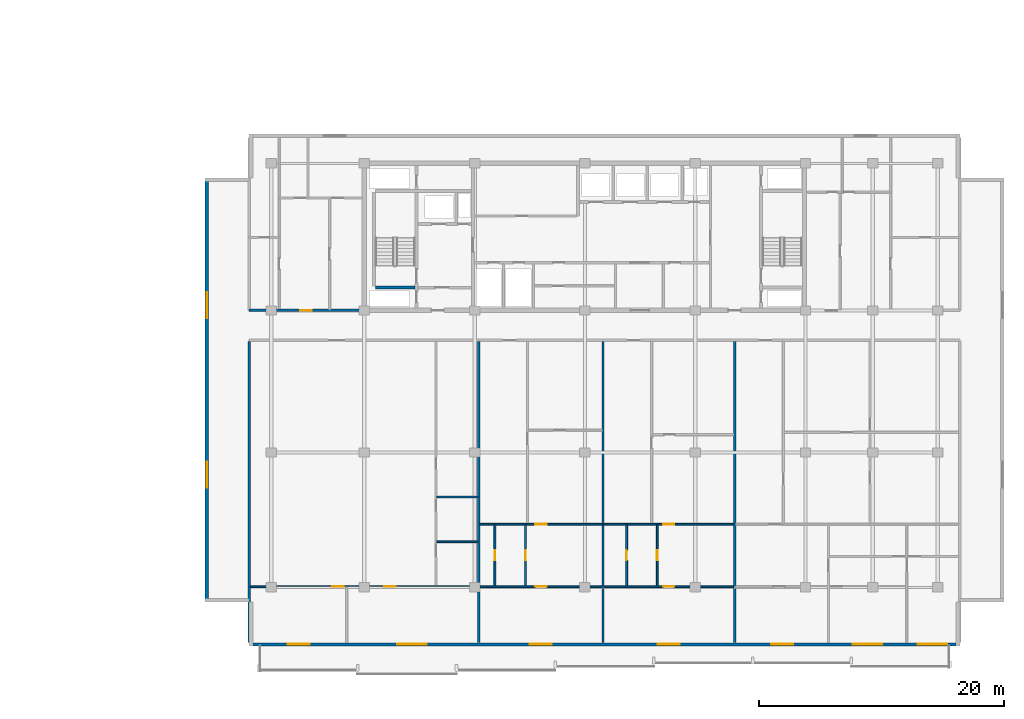
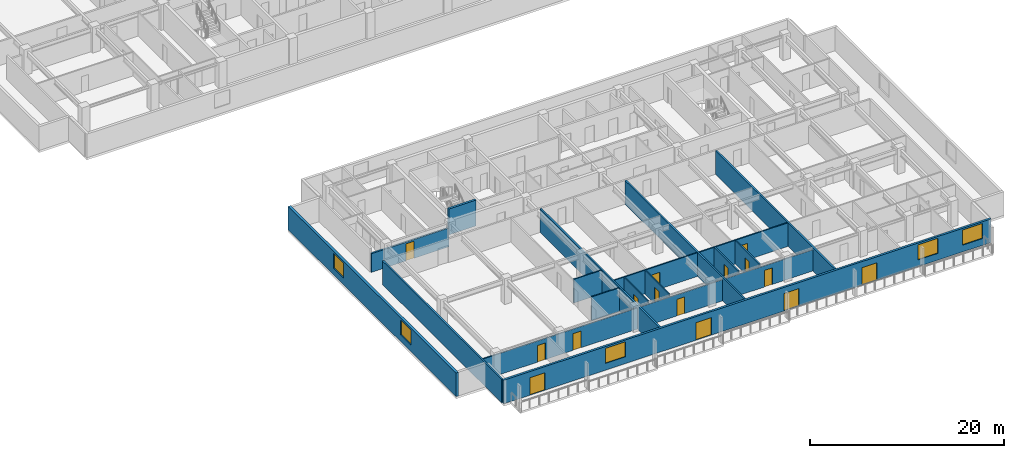
# One storey, part 4 of 21: 19 walls, 15 doors, 5 windows, 20 openings.
"""IFC4 building model written with IfcOpenShell, lengths in metres."""

from ifc_helpers import new_model, si_unit, direction, frame, frame_2d, origin, place, context, subcontext, project, spatial, rectangle, extrude, material, layer, layer_set, type_object, element, fill, save


model = new_model("IFC4")

# Units and contexts
model_context = context("Model", 3, precision=1e-05, world=origin(), true_north=direction((0.0, 1.0)))
body_context = subcontext(model_context, "Body", "Model", "MODEL_VIEW")
ifc_project = project(units=[si_unit("LENGTHUNIT", "METRE"), si_unit("AREAUNIT", "SQUARE_METRE"), si_unit("VOLUMEUNIT", "CUBIC_METRE"), si_unit("PLANEANGLEUNIT", "RADIAN"), si_unit("MASSUNIT", "GRAM", prefix="KILO")], contexts=[model_context])

# Site, building, storey
site_placement = place(None, origin())
site = spatial("IfcSite", under=ifc_project, at=site_placement, CompositionType="ELEMENT")
building_placement = place(site_placement, origin())
building = spatial("IfcBuilding", under=site, at=building_placement, Name="Korimba Cascade Residences", CompositionType="ELEMENT")
storey_placement = place(building_placement, frame((0.0, 0.0, 100.300048828125)))
storey = spatial("IfcBuildingStorey", under=building, at=storey_placement, Name="L28", CompositionType="ELEMENT", Elevation=100.300048828125)

# Wall, openings, doors, windows
ifc_material_1 = material(Name="Precast concrete C40/50", Category="concrete")
ifc_layer_1 = layer(ifc_material_1, 0.25)
ifc_layer_set_1 = layer_set([ifc_layer_1], Name="Precast concrete C40/50")
wall_type_1 = type_object("IfcWallType", Name="EW-LOG-250", PredefinedType="STANDARD", material=ifc_layer_set_1)
wall_1_placement = place(storey_placement, frame((72.699951171875, -8.85009765625, 0.0), z_axis=(0.0, 0.0, 1.0), x_axis=(1.0, 0.0, 0.0)))
wall_1 = element("IfcWall", 1, at=wall_1_placement, inside=storey, type_object=wall_type_1, Name="L28 T2 Perimeter Stone Wall E00", PredefinedType="STANDARD", context=body_context, shape_type="SweptSolid", body=[
    extrude(rectangle(XDim=58.0, YDim=0.25, at=frame_2d((29.0, 0.0))), origin(), (0.0, 0.0, 1.0), 2.969970703125),
])
opening_1_placement = place(wall_1_placement, frame((3.137451171875, 0.0, 0.0)))
opening_1 = element("IfcOpeningElement", 2, at=opening_1_placement, cuts=wall_1, Name="Opening D-LG1", PredefinedType="OPENING", context=body_context, shape_type="SweptSolid", body=[
    extrude(rectangle(XDim=1.800048828125, YDim=2.199951171875, at=frame_2d((0.89990234375, 1.10009765625))), frame((0.0, 0.135009765625, 0.0), z_axis=(0.0, -1.0, 0.0), x_axis=(1.0, 0.0, 0.0)), (0.0, 0.0, 1.0), 0.27001953125),
])
opening_2_placement = place(wall_1_placement, frame((12.092529296875, 0.0, 0.85009765625)))
opening_2 = element("IfcOpeningElement", 3, at=opening_2_placement, cuts=wall_1, Name="Opening W-01", PredefinedType="OPENING", context=body_context, shape_type="SweptSolid", body=[
    extrude(rectangle(XDim=2.39990234375, YDim=1.89990234375, at=frame_2d((1.199951171875, 0.949951171875))), frame((0.0, 0.135009765625, 0.0), z_axis=(0.0, -1.0, 0.0), x_axis=(1.0, 0.0, 0.0)), (0.0, 0.0, 1.0), 0.27001953125),
])
opening_3_placement = place(wall_1_placement, frame((22.91259765625, 0.0, 0.0)))
opening_3 = element("IfcOpeningElement", 4, at=opening_3_placement, cuts=wall_1, Name="Opening D-LG1", PredefinedType="OPENING", context=body_context, shape_type="SweptSolid", body=[
    extrude(rectangle(XDim=1.800048828125, YDim=2.199951171875, at=frame_2d((0.89990234375, 1.10009765625))), frame((0.0, 0.135009765625, 0.0), z_axis=(0.0, -1.0, 0.0), x_axis=(1.0, 0.0, 0.0)), (0.0, 0.0, 1.0), 0.27001953125),
])
opening_4_placement = place(wall_1_placement, frame((33.35009765625, 0.0, 0.0)))
opening_4 = element("IfcOpeningElement", 5, at=opening_4_placement, cuts=wall_1, Name="Opening D-LG1", PredefinedType="OPENING", context=body_context, shape_type="SweptSolid", body=[
    extrude(rectangle(XDim=1.800048828125, YDim=2.199951171875, at=frame_2d((0.89990234375, 1.10009765625))), frame((0.0, 0.135009765625, 0.0), z_axis=(0.0, -1.0, 0.0), x_axis=(1.0, 0.0, 0.0)), (0.0, 0.0, 1.0), 0.27001953125),
])
opening_5_placement = place(wall_1_placement, frame((49.27490234375, 0.0, 0.85009765625)))
opening_5 = element("IfcOpeningElement", 6, at=opening_5_placement, cuts=wall_1, Name="Opening W-01", PredefinedType="OPENING", context=body_context, shape_type="SweptSolid", body=[
    extrude(rectangle(XDim=2.39990234375, YDim=1.89990234375, at=frame_2d((1.199951171875, 0.949951171875))), frame((0.0, 0.135009765625, 0.0), z_axis=(0.0, -1.0, 0.0), x_axis=(1.0, 0.0, 0.0)), (0.0, 0.0, 1.0), 0.27001953125),
])
opening_6_placement = place(wall_1_placement, frame((42.612548828125, 0.0, 0.0)))
opening_6 = element("IfcOpeningElement", 7, at=opening_6_placement, cuts=wall_1, Name="Opening D-LG1", PredefinedType="OPENING", context=body_context, shape_type="SweptSolid", body=[
    extrude(rectangle(XDim=1.800048828125, YDim=2.199951171875, at=frame_2d((0.89990234375, 1.10009765625))), frame((0.0, 0.135009765625, 0.0), z_axis=(0.0, -1.0, 0.0), x_axis=(1.0, 0.0, 0.0)), (0.0, 0.0, 1.0), 0.27001953125),
])
opening_7_placement = place(wall_1_placement, frame((54.574951171875, 0.0, 0.85009765625)))
opening_7 = element("IfcOpeningElement", 8, at=opening_7_placement, cuts=wall_1, Name="Opening W-01", PredefinedType="OPENING", context=body_context, shape_type="SweptSolid", body=[
    extrude(rectangle(XDim=2.39990234375, YDim=1.89990234375, at=frame_2d((1.199951171875, 0.949951171875))), frame((0.0, 0.135009765625, 0.0), z_axis=(0.0, -1.0, 0.0), x_axis=(1.0, 0.0, 0.0)), (0.0, 0.0, 1.0), 0.27001953125),
])
ifc_material_2 = material(Name="Glazed Aluminium Loggia Sliding Door", Category="aluminium")
door_type_1 = type_object("IfcDoorType", Name="DR-EXT-LOG", OperationType="NOTDEFINED", PredefinedType="DOOR", material=ifc_material_2)
door_1_placement = place(opening_1_placement, origin())
door_1 = element("IfcDoor", 9, at=door_1_placement, inside=storey, type_object=door_type_1, Name="L28 T2 Loggia Sliding Door 3", OperationType="SLIDING_TO_RIGHT", OverallHeight=2.199951171875, OverallWidth=1.800048828125, PredefinedType="DOOR", context=body_context, shape_type="SweptSolid", body=[
    extrude(rectangle(XDim=1.800048828125, YDim=2.199951171875, at=frame_2d((0.89990234375, 1.10009765625))), frame((0.0, 0.02490234375, 0.0), z_axis=(0.0, -1.0, 0.0), x_axis=(1.0, 0.0, 0.0)), (0.0, 0.0, 1.0), 0.050048828125),
])
fill(opening_1, door_1)
door_2_placement = place(opening_3_placement, origin())
door_2 = element("IfcDoor", 10, at=door_2_placement, inside=storey, type_object=door_type_1, Name="L28 T2 Loggia Sliding Door 5", OperationType="SLIDING_TO_RIGHT", OverallHeight=2.199951171875, OverallWidth=1.800048828125, PredefinedType="DOOR", context=body_context, shape_type="SweptSolid", body=[
    extrude(rectangle(XDim=1.800048828125, YDim=2.199951171875, at=frame_2d((0.89990234375, 1.10009765625))), frame((0.0, 0.02490234375, 0.0), z_axis=(0.0, -1.0, 0.0), x_axis=(1.0, 0.0, 0.0)), (0.0, 0.0, 1.0), 0.050048828125),
])
fill(opening_3, door_2)
door_3_placement = place(opening_4_placement, origin())
door_3 = element("IfcDoor", 11, at=door_3_placement, inside=storey, type_object=door_type_1, Name="L28 T2 Loggia Sliding Door 6", OperationType="SLIDING_TO_RIGHT", OverallHeight=2.199951171875, OverallWidth=1.800048828125, PredefinedType="DOOR", context=body_context, shape_type="SweptSolid", body=[
    extrude(rectangle(XDim=1.800048828125, YDim=2.199951171875, at=frame_2d((0.89990234375, 1.10009765625))), frame((0.0, 0.02490234375, 0.0), z_axis=(0.0, -1.0, 0.0), x_axis=(1.0, 0.0, 0.0)), (0.0, 0.0, 1.0), 0.050048828125),
])
fill(opening_4, door_3)
door_4_placement = place(opening_6_placement, origin())
door_4 = element("IfcDoor", 12, at=door_4_placement, inside=storey, type_object=door_type_1, Name="L28 T2 Loggia Sliding Door 8", OperationType="SLIDING_TO_RIGHT", OverallHeight=2.199951171875, OverallWidth=1.800048828125, PredefinedType="DOOR", context=body_context, shape_type="SweptSolid", body=[
    extrude(rectangle(XDim=1.800048828125, YDim=2.199951171875, at=frame_2d((0.89990234375, 1.10009765625))), frame((0.0, 0.02490234375, 0.0), z_axis=(0.0, -1.0, 0.0), x_axis=(1.0, 0.0, 0.0)), (0.0, 0.0, 1.0), 0.050048828125),
])
fill(opening_6, door_4)
ifc_material_3 = material(Name="Double-Glazed Aluminium Window", Category="aluminium")
window_type_1 = type_object("IfcWindowType", Name="WIN-RES-2400", PartitioningType="DOUBLE_PANEL_VERTICAL", PredefinedType="WINDOW", material=ifc_material_3)
window_1_placement = place(opening_2_placement, origin())
window_1 = element("IfcWindow", 13, at=window_1_placement, inside=storey, type_object=window_type_1, Name="L28 T2 South Facade Window 4", OverallHeight=1.89990234375, OverallWidth=2.39990234375, PartitioningType="DOUBLE_PANEL_VERTICAL", PredefinedType="WINDOW", context=body_context, shape_type="SweptSolid", body=[
    extrude(rectangle(XDim=2.39990234375, YDim=1.89990234375, at=frame_2d((1.199951171875, 0.949951171875))), frame((0.0, 0.030029296875, 0.0), z_axis=(0.0, -1.0, 0.0), x_axis=(1.0, 0.0, 0.0)), (0.0, 0.0, 1.0), 0.06005859375),
])
fill(opening_2, window_1)
window_2_placement = place(opening_5_placement, origin())
window_2 = element("IfcWindow", 14, at=window_2_placement, inside=storey, type_object=window_type_1, Name="L28 T2 South Facade Window 7", OverallHeight=1.89990234375, OverallWidth=2.39990234375, PartitioningType="DOUBLE_PANEL_VERTICAL", PredefinedType="WINDOW", context=body_context, shape_type="SweptSolid", body=[
    extrude(rectangle(XDim=2.39990234375, YDim=1.89990234375, at=frame_2d((1.199951171875, 0.949951171875))), frame((0.0, 0.030029296875, 0.0), z_axis=(0.0, -1.0, 0.0), x_axis=(1.0, 0.0, 0.0)), (0.0, 0.0, 1.0), 0.06005859375),
])
fill(opening_5, window_2)
window_3_placement = place(opening_7_placement, origin())
window_3 = element("IfcWindow", 15, at=window_3_placement, inside=storey, type_object=window_type_1, Name="L28 T2 South Facade Window 9", OverallHeight=1.89990234375, OverallWidth=2.39990234375, PartitioningType="DOUBLE_PANEL_VERTICAL", PredefinedType="WINDOW", context=body_context, shape_type="SweptSolid", body=[
    extrude(rectangle(XDim=2.39990234375, YDim=1.89990234375, at=frame_2d((1.199951171875, 0.949951171875))), frame((0.0, 0.030029296875, 0.0), z_axis=(0.0, -1.0, 0.0), x_axis=(1.0, 0.0, 0.0)), (0.0, 0.0, 1.0), 0.06005859375),
])
fill(opening_7, window_3)

# Wall, openings, windows
ifc_layer_2 = layer(ifc_material_1, 0.300048828125)
ifc_layer_set_2 = layer_set([ifc_layer_2], Name="Precast concrete C40/50")
wall_type_2 = type_object("IfcWallType", Name="EW-STONE-300", PredefinedType="STANDARD", material=ifc_layer_set_2)
wall_2_placement = place(storey_placement, frame((69.25, 29.199951171875, 0.0), z_axis=(0.0, 0.0, 1.0), x_axis=(0.0, -1.0, 0.0)))
wall_2 = element("IfcWall", 16, at=wall_2_placement, inside=storey, type_object=wall_type_2, Name="L28 T2 Perimeter Stone Wall E09", PredefinedType="STANDARD", context=body_context, shape_type="SweptSolid", body=[
    extrude(rectangle(XDim=34.599853515625, YDim=0.300048828125, at=frame_2d((17.2998046875, 0.0))), origin(), (0.0, 0.0, 1.0), 2.969970703125),
])
opening_8_placement = place(wall_2_placement, frame((9.330078125, 0.0, 0.85009765625)))
opening_8 = element("IfcOpeningElement", 17, at=opening_8_placement, cuts=wall_2, Name="Opening W-03", PredefinedType="OPENING", context=body_context, shape_type="SweptSolid", body=[
    extrude(rectangle(XDim=2.10009765625, YDim=1.85009765625, at=frame_2d((1.050048828125, 0.925048828125))), frame((0.0, 0.16015625, 0.0), z_axis=(0.0, -1.0, 0.0), x_axis=(1.0, 0.0, 0.0)), (0.0, 0.0, 1.0), 0.320068359375),
])
opening_9_placement = place(wall_2_placement, frame((23.169921875, 0.0, 0.85009765625)))
opening_9 = element("IfcOpeningElement", 18, at=opening_9_placement, cuts=wall_2, Name="Opening W-03", PredefinedType="OPENING", context=body_context, shape_type="SweptSolid", body=[
    extrude(rectangle(XDim=2.10009765625, YDim=1.85009765625, at=frame_2d((1.050048828125, 0.925048828125))), frame((0.0, 0.16015625, 0.0), z_axis=(0.0, -1.0, 0.0), x_axis=(1.0, 0.0, 0.0)), (0.0, 0.0, 1.0), 0.320068359375),
])
window_type_2 = type_object("IfcWindowType", Name="WIN-CRN-2100", PartitioningType="DOUBLE_PANEL_HORIZONTAL", PredefinedType="WINDOW", material=ifc_material_3)
window_4_placement = place(opening_8_placement, origin())
window_4 = element("IfcWindow", 19, at=window_4_placement, inside=storey, type_object=window_type_2, Name="L28 T2 End View Window 9.1", OverallHeight=1.85009765625, OverallWidth=2.10009765625, PartitioningType="DOUBLE_PANEL_HORIZONTAL", PredefinedType="WINDOW", context=body_context, shape_type="SweptSolid", body=[
    extrude(rectangle(XDim=2.10009765625, YDim=1.85009765625, at=frame_2d((1.050048828125, 0.925048828125))), frame((0.0, 0.030029296875, 0.0), z_axis=(0.0, -1.0, 0.0), x_axis=(1.0, 0.0, 0.0)), (0.0, 0.0, 1.0), 0.06005859375),
])
fill(opening_8, window_4)
window_5_placement = place(opening_9_placement, origin())
window_5 = element("IfcWindow", 20, at=window_5_placement, inside=storey, type_object=window_type_2, Name="L28 T2 End View Window 9.2", OverallHeight=1.85009765625, OverallWidth=2.10009765625, PartitioningType="DOUBLE_PANEL_HORIZONTAL", PredefinedType="WINDOW", context=body_context, shape_type="SweptSolid", body=[
    extrude(rectangle(XDim=2.10009765625, YDim=1.85009765625, at=frame_2d((1.050048828125, 0.925048828125))), frame((0.0, 0.030029296875, 0.0), z_axis=(0.0, -1.0, 0.0), x_axis=(1.0, 0.0, 0.0)), (0.0, 0.0, 1.0), 0.06005859375),
])
fill(opening_9, window_5)

# Wall, opening, door
ifc_layer_3 = layer(ifc_material_1, 0.199951171875)
ifc_layer_set_3 = layer_set([ifc_layer_3], Name="Precast concrete C40/50")
wall_type_3 = type_object("IfcWallType", Name="WAL-IT-200", PredefinedType="PARTITIONING", material=ifc_layer_set_3)
wall_3_placement = place(storey_placement, frame((72.699951171875, 18.39990234375, 0.0), z_axis=(0.0, 0.0, 1.0), x_axis=(1.0, 0.0, 0.0)))
wall_3 = element("IfcWall", 21, at=wall_3_placement, inside=storey, type_object=wall_type_3, Name="L28 Partition Wall WAL-L28-T2-FW-S", PredefinedType="PARTITIONING", context=body_context, shape_type="SweptSolid", body=[
    extrude(rectangle(XDim=9.25, YDim=0.199951171875, at=frame_2d((4.625, 0.0))), origin(), (0.0, 0.0, 1.0), 2.357666015625),
])
opening_10_placement = place(wall_3_placement, frame((4.14990234375, 0.0, 0.0)))
opening_10 = element("IfcOpeningElement", 22, at=opening_10_placement, cuts=wall_3, Name="Opening D-UN1", PredefinedType="OPENING", context=body_context, shape_type="SweptSolid", body=[
    extrude(rectangle(XDim=0.949951171875, YDim=2.14990234375, at=frame_2d((0.47509765625, 1.074951171875))), frame((0.0, 0.10986328125, 0.0), z_axis=(0.0, -1.0, 0.0), x_axis=(1.0, 0.0, 0.0)), (0.0, 0.0, 1.0), 0.219970703125),
])
ifc_material_4 = material(Name="Fire-Rated Hardwood Apartment Entrance Door", Category="wood")
door_type_2 = type_object("IfcDoorType", Name="DR-FD60-950", OperationType="NOTDEFINED", PredefinedType="DOOR", material=ifc_material_4)
door_5_placement = place(opening_10_placement, origin())
door_5 = element("IfcDoor", 23, at=door_5_placement, inside=storey, type_object=door_type_2, Name="L28-T2-FW Entrance Door", OperationType="SINGLE_SWING_RIGHT", OverallHeight=2.14990234375, OverallWidth=0.949951171875, PredefinedType="DOOR", context=body_context, shape_type="SweptSolid", body=[
    extrude(rectangle(XDim=0.949951171875, YDim=2.14990234375, at=frame_2d((0.47509765625, 1.074951171875))), frame((0.0, 0.02490234375, 0.0), z_axis=(0.0, -1.0, 0.0), x_axis=(1.0, 0.0, 0.0)), (0.0, 0.0, 1.0), 0.050048828125),
])
fill(opening_10, door_5)

# Walls
for number, where, z_axis, x_axis, name in (
    (24, (72.699951171875, -8.699951171875, 0.0), (0.0, 0.0, 1.0), (0.0, 1.0, 0.0), "L28 Partition Wall WAL-L28-T2-BNDWL"),
    (25, (91.449951171875, -8.699951171875, 0.0), (0.0, 0.0, 1.0), (0.0, 1.0, 0.0), "L28 Partition Wall WAL-L28-T2-DEM-1"),
    (26, (101.574951171875, -8.699951171875, 0.0), (0.0, 0.0, 1.0), (0.0, 1.0, 0.0), "L28 Partition Wall WAL-L28-T2-DEM-2"),
    (27, (112.324951171875, -8.699951171875, 0.0), (0.0, 0.0, 1.0), (0.0, 1.0, 0.0), "L28 Partition Wall WAL-L28-T2-DEM-3"),
):
    element("IfcWall", number, at=place(storey_placement, frame(where, z_axis=z_axis, x_axis=x_axis)), inside=storey, type_object=wall_type_3, Name=name, PredefinedType="PARTITIONING", context=body_context, shape_type="SweptSolid", body=[
        extrude(rectangle(XDim=24.570068359375, YDim=0.199951171875, at=frame_2d((12.28515625, 0.0))), origin(), (0.0, 0.0, 1.0), 2.969970703125),
    ])
ifc_material_5 = material(Name="Insulated Acoustic Stud Partition", Category="gypsum")
ifc_layer_4 = layer(ifc_material_5, 0.14990234375)
ifc_layer_set_4 = layer_set([ifc_layer_4], Name="Insulated Acoustic Stud Partition")
wall_type_4 = type_object("IfcWallType", Name="WAL-PART-150", PredefinedType="PARTITIONING", material=ifc_layer_set_4)
for number, where, z_axis, x_axis, name in (
    (28, (88.010009765625, -0.47998046875, 0.0), (0.0, 0.0, 1.0), (1.0, 0.0, 0.0), "L28 Partition Wall WAL-L28-T2-U01-WCH"),
    (29, (88.010009765625, 3.169921875, 0.0), (0.0, 0.0, 1.0), (1.0, 0.0, 0.0), "L28 Partition Wall WAL-L28-T2-U01-WCH2"),
):
    element("IfcWall", number, at=place(storey_placement, frame(where, z_axis=z_axis, x_axis=x_axis)), inside=storey, type_object=wall_type_4, Name=name, PredefinedType="PARTITIONING", context=body_context, shape_type="SweptSolid", body=[
        extrude(rectangle(XDim=3.360107421875, YDim=0.14990234375, at=frame_2d((1.68017578125, 0.0))), origin(), (0.0, 0.0, 1.0), 2.969970703125),
    ])

# Wall, openings, doors
wall_4_placement = place(storey_placement, frame((72.780029296875, -4.14990234375, 0.0), z_axis=(0.0, 0.0, 1.0), x_axis=(1.0, 0.0, 0.0)))
wall_4 = element("IfcWall", 30, at=wall_4_placement, inside=storey, type_object=wall_type_4, Name="L28 Partition Wall WAL-L28-T2-U01-HZ", PredefinedType="PARTITIONING", context=body_context, shape_type="SweptSolid", body=[
    extrude(rectangle(XDim=18.590087890625, YDim=0.14990234375, at=frame_2d((9.294921875, 0.0))), origin(), (0.0, 0.0, 1.0), 2.663330078125),
])
opening_11_placement = place(wall_4_placement, frame((6.68505859375, 0.0, 0.0)))
opening_11 = element("IfcOpeningElement", 31, at=opening_11_placement, cuts=wall_4, Name="Opening D-IN0", PredefinedType="OPENING", context=body_context, shape_type="SweptSolid", body=[
    extrude(rectangle(XDim=0.93994140625, YDim=2.10009765625, at=frame_2d((0.469970703125, 1.050048828125))), frame((0.0, 0.0849609375, 0.0), z_axis=(0.0, -1.0, 0.0), x_axis=(1.0, 0.0, 0.0)), (0.0, 0.0, 1.0), 0.169921875),
])
opening_12_placement = place(wall_4_placement, frame((10.935302734375, 0.0, 0.0)))
opening_12 = element("IfcOpeningElement", 32, at=opening_12_placement, cuts=wall_4, Name="Opening D-IN0", PredefinedType="OPENING", context=body_context, shape_type="SweptSolid", body=[
    extrude(rectangle(XDim=0.93994140625, YDim=2.10009765625, at=frame_2d((0.469970703125, 1.050048828125))), frame((0.0, 0.0849609375, 0.0), z_axis=(0.0, -1.0, 0.0), x_axis=(1.0, 0.0, 0.0)), (0.0, 0.0, 1.0), 0.169921875),
])
ifc_material_6 = material(Name="Acoustic Timber Living Archway Door", Category="wood")
door_type_3 = type_object("IfcDoorType", Name="DR-INT-950", OperationType="NOTDEFINED", PredefinedType="DOOR", material=ifc_material_6)
door_6_placement = place(opening_11_placement, origin())
door_6 = element("IfcDoor", 33, at=door_6_placement, inside=storey, type_object=door_type_3, Name="L28-T2-U01 Resident Boardroom Door", OperationType="SINGLE_SWING_RIGHT", OverallHeight=2.10009765625, OverallWidth=0.93994140625, PredefinedType="DOOR", context=body_context, shape_type="SweptSolid", body=[
    extrude(rectangle(XDim=0.93994140625, YDim=2.10009765625, at=frame_2d((0.469970703125, 1.050048828125))), frame((0.0, 0.02490234375, 0.0), z_axis=(0.0, -1.0, 0.0), x_axis=(1.0, 0.0, 0.0)), (0.0, 0.0, 1.0), 0.050048828125),
])
fill(opening_11, door_6)
door_7_placement = place(opening_12_placement, origin())
door_7 = element("IfcDoor", 34, at=door_7_placement, inside=storey, type_object=door_type_3, Name="L28-T2-U01 Executive Seminar Room Door", OperationType="SINGLE_SWING_LEFT", OverallHeight=2.10009765625, OverallWidth=0.93994140625, PredefinedType="DOOR", context=body_context, shape_type="SweptSolid", body=[
    extrude(rectangle(XDim=0.93994140625, YDim=2.10009765625, at=frame_2d((0.469970703125, 1.050048828125))), frame((0.0, 0.02490234375, 0.0), z_axis=(0.0, -1.0, 0.0), x_axis=(1.0, 0.0, 0.0)), (0.0, 0.0, 1.0), 0.050048828125),
])
fill(opening_12, door_7)

# Wall, opening, door
wall_5_placement = place(storey_placement, frame((92.7548828125, -4.090087890625, 0.0), z_axis=(0.0, 0.0, 1.0), x_axis=(0.0, 1.0, 0.0)))
wall_5 = element("IfcWall", 35, at=wall_5_placement, inside=storey, type_object=wall_type_4, Name="L28 Partition Wall WAL-L28-T2-U02-CLS", PredefinedType="PARTITIONING", context=body_context, shape_type="SweptSolid", body=[
    extrude(rectangle(XDim=5.0, YDim=0.14990234375, at=frame_2d((2.5, 0.0))), origin(), (0.0, 0.0, 1.0), 2.969970703125),
])
opening_13_placement = place(wall_5_placement, frame((2.080078125, 0.0, 0.0)))
opening_13 = element("IfcOpeningElement", 36, at=opening_13_placement, cuts=wall_5, Name="Opening D-BT1", PredefinedType="OPENING", context=body_context, shape_type="SweptSolid", body=[
    extrude(rectangle(XDim=0.840087890625, YDim=2.0400390625, at=frame_2d((0.419921875, 1.02001953125))), frame((0.0, 0.0849609375, 0.0), z_axis=(0.0, -1.0, 0.0), x_axis=(1.0, 0.0, 0.0)), (0.0, 0.0, 1.0), 0.169921875),
])
ifc_material_7 = material(Name="Moisture-Resistant Bathroom Timber Door", Category="wood")
door_type_4 = type_object("IfcDoorType", Name="DR-INT-850", OperationType="NOTDEFINED", PredefinedType="DOOR", material=ifc_material_7)
door_8_placement = place(opening_13_placement, origin())
door_8 = element("IfcDoor", 37, at=door_8_placement, inside=storey, type_object=door_type_4, Name="L28-T2-U02 Closet Door", OperationType="SINGLE_SWING_RIGHT", OverallHeight=2.0400390625, OverallWidth=0.840087890625, PredefinedType="DOOR", context=body_context, shape_type="SweptSolid", body=[
    extrude(rectangle(XDim=0.840087890625, YDim=2.0400390625, at=frame_2d((0.419921875, 1.02001953125))), frame((0.0, 0.02490234375, 0.0), z_axis=(0.0, -1.0, 0.0), x_axis=(1.0, 0.0, 0.0)), (0.0, 0.0, 1.0), 0.050048828125),
])
fill(opening_13, door_8)

wall_6_placement = place(storey_placement, frame((95.2548828125, -4.090087890625, 0.0), z_axis=(0.0, 0.0, 1.0), x_axis=(0.0, 1.0, 0.0)))
wall_6 = element("IfcWall", 38, at=wall_6_placement, inside=storey, type_object=wall_type_4, Name="L28 Partition Wall WAL-L28-T2-U02-BM", PredefinedType="PARTITIONING", context=body_context, shape_type="SweptSolid", body=[
    extrude(rectangle(XDim=5.0, YDim=0.14990234375, at=frame_2d((2.5, 0.0))), origin(), (0.0, 0.0, 1.0), 2.969970703125),
])
opening_14_placement = place(wall_6_placement, frame((2.080078125, 0.0, 0.0)))
opening_14 = element("IfcOpeningElement", 39, at=opening_14_placement, cuts=wall_6, Name="Opening D-BT1", PredefinedType="OPENING", context=body_context, shape_type="SweptSolid", body=[
    extrude(rectangle(XDim=0.840087890625, YDim=2.0400390625, at=frame_2d((0.419921875, 1.02001953125))), frame((0.0, 0.0849609375, 0.0), z_axis=(0.0, -1.0, 0.0), x_axis=(1.0, 0.0, 0.0)), (0.0, 0.0, 1.0), 0.169921875),
])
door_9_placement = place(opening_14_placement, origin())
door_9 = element("IfcDoor", 40, at=door_9_placement, inside=storey, type_object=door_type_4, Name="L28-T2-U02 Bathroom Door", OperationType="SINGLE_SWING_LEFT", OverallHeight=2.0400390625, OverallWidth=0.840087890625, PredefinedType="DOOR", context=body_context, shape_type="SweptSolid", body=[
    extrude(rectangle(XDim=0.840087890625, YDim=2.0400390625, at=frame_2d((0.419921875, 1.02001953125))), frame((0.0, 0.02490234375, 0.0), z_axis=(0.0, -1.0, 0.0), x_axis=(1.0, 0.0, 0.0)), (0.0, 0.0, 1.0), 0.050048828125),
])
fill(opening_14, door_9)

wall_7_placement = place(storey_placement, frame((91.530029296875, 0.949951171875, 0.0), z_axis=(0.0, 0.0, 1.0), x_axis=(1.0, 0.0, 0.0)))
wall_7 = element("IfcWall", 41, at=wall_7_placement, inside=storey, type_object=wall_type_4, Name="L28 Partition Wall WAL-L28-T2-U02-MW", PredefinedType="PARTITIONING", context=body_context, shape_type="SweptSolid", body=[
    extrude(rectangle(XDim=9.965087890625, YDim=0.14990234375, at=frame_2d((4.982421875, 0.0))), origin(), (0.0, 0.0, 1.0), 2.969970703125),
])
opening_15_placement = place(wall_7_placement, frame((4.5224609375, 0.0, 0.0)))
opening_15 = element("IfcOpeningElement", 42, at=opening_15_placement, cuts=wall_7, Name="Opening D-IN1", PredefinedType="OPENING", context=body_context, shape_type="SweptSolid", body=[
    extrude(rectangle(XDim=0.919921875, YDim=2.080078125, at=frame_2d((0.4599609375, 1.0400390625))), frame((0.0, 0.0849609375, 0.0), z_axis=(0.0, -1.0, 0.0), x_axis=(1.0, 0.0, 0.0)), (0.0, 0.0, 1.0), 0.169921875),
])
ifc_material_8 = material(Name="Acoustic Timber Living Door", Category="wood")
door_type_5 = type_object("IfcDoorType", Name="DR-INT-920", OperationType="NOTDEFINED", PredefinedType="DOOR", material=ifc_material_8)
door_10_placement = place(opening_15_placement, origin())
door_10 = element("IfcDoor", 43, at=door_10_placement, inside=storey, type_object=door_type_5, Name="L28-T2-U02 Studio Kitchen Door", OperationType="SINGLE_SWING_RIGHT", OverallHeight=2.080078125, OverallWidth=0.919921875, PredefinedType="DOOR", context=body_context, shape_type="SweptSolid", body=[
    extrude(rectangle(XDim=0.919921875, YDim=2.080078125, at=frame_2d((0.4599609375, 1.0400390625))), frame((0.0, 0.02490234375, 0.0), z_axis=(0.0, -1.0, 0.0), x_axis=(1.0, 0.0, 0.0)), (0.0, 0.0, 1.0), 0.050048828125),
])
fill(opening_15, door_10)

wall_8_placement = place(storey_placement, frame((91.530029296875, -4.14990234375, 0.0), z_axis=(0.0, 0.0, 1.0), x_axis=(1.0, 0.0, 0.0)))
wall_8 = element("IfcWall", 44, at=wall_8_placement, inside=storey, type_object=wall_type_4, Name="L28 Partition Wall WAL-L28-T2-U02-HZ", PredefinedType="PARTITIONING", context=body_context, shape_type="SweptSolid", body=[
    extrude(rectangle(XDim=9.965087890625, YDim=0.14990234375, at=frame_2d((4.982421875, 0.0))), origin(), (0.0, 0.0, 1.0), 2.663330078125),
])
opening_16_placement = place(wall_8_placement, frame((4.5224609375, 0.0, 0.0)))
opening_16 = element("IfcOpeningElement", 45, at=opening_16_placement, cuts=wall_8, Name="Opening D-IN1", PredefinedType="OPENING", context=body_context, shape_type="SweptSolid", body=[
    extrude(rectangle(XDim=0.919921875, YDim=2.080078125, at=frame_2d((0.4599609375, 1.0400390625))), frame((0.0, 0.0849609375, 0.0), z_axis=(0.0, -1.0, 0.0), x_axis=(1.0, 0.0, 0.0)), (0.0, 0.0, 1.0), 0.169921875),
])
door_11_placement = place(opening_16_placement, origin())
door_11 = element("IfcDoor", 46, at=door_11_placement, inside=storey, type_object=door_type_5, Name="L28-T2-U02 Studio Door", OperationType="SINGLE_SWING_LEFT", OverallHeight=2.080078125, OverallWidth=0.919921875, PredefinedType="DOOR", context=body_context, shape_type="SweptSolid", body=[
    extrude(rectangle(XDim=0.919921875, YDim=2.080078125, at=frame_2d((0.4599609375, 1.0400390625))), frame((0.0, 0.02490234375, 0.0), z_axis=(0.0, -1.0, 0.0), x_axis=(1.0, 0.0, 0.0)), (0.0, 0.0, 1.0), 0.050048828125),
])
fill(opening_16, door_11)

wall_9_placement = place(storey_placement, frame((103.5048828125, -4.090087890625, 0.0), z_axis=(0.0, 0.0, 1.0), x_axis=(0.0, 1.0, 0.0)))
wall_9 = element("IfcWall", 47, at=wall_9_placement, inside=storey, type_object=wall_type_4, Name="L28 Partition Wall WAL-L28-T2-U03-CLS", PredefinedType="PARTITIONING", context=body_context, shape_type="SweptSolid", body=[
    extrude(rectangle(XDim=5.0, YDim=0.14990234375, at=frame_2d((2.5, 0.0))), origin(), (0.0, 0.0, 1.0), 2.969970703125),
])
opening_17_placement = place(wall_9_placement, frame((2.080078125, 0.0, 0.0)))
opening_17 = element("IfcOpeningElement", 48, at=opening_17_placement, cuts=wall_9, Name="Opening D-BT1", PredefinedType="OPENING", context=body_context, shape_type="SweptSolid", body=[
    extrude(rectangle(XDim=0.840087890625, YDim=2.0400390625, at=frame_2d((0.419921875, 1.02001953125))), frame((0.0, 0.0849609375, 0.0), z_axis=(0.0, -1.0, 0.0), x_axis=(1.0, 0.0, 0.0)), (0.0, 0.0, 1.0), 0.169921875),
])
door_12_placement = place(opening_17_placement, origin())
door_12 = element("IfcDoor", 49, at=door_12_placement, inside=storey, type_object=door_type_4, Name="L28-T2-U03 Closet Door", OperationType="SINGLE_SWING_RIGHT", OverallHeight=2.0400390625, OverallWidth=0.840087890625, PredefinedType="DOOR", context=body_context, shape_type="SweptSolid", body=[
    extrude(rectangle(XDim=0.840087890625, YDim=2.0400390625, at=frame_2d((0.419921875, 1.02001953125))), frame((0.0, 0.02490234375, 0.0), z_axis=(0.0, -1.0, 0.0), x_axis=(1.0, 0.0, 0.0)), (0.0, 0.0, 1.0), 0.050048828125),
])
fill(opening_17, door_12)

wall_10_placement = place(storey_placement, frame((106.0048828125, -4.090087890625, 0.0), z_axis=(0.0, 0.0, 1.0), x_axis=(0.0, 1.0, 0.0)))
wall_10 = element("IfcWall", 50, at=wall_10_placement, inside=storey, type_object=wall_type_4, Name="L28 Partition Wall WAL-L28-T2-U03-BM", PredefinedType="PARTITIONING", context=body_context, shape_type="SweptSolid", body=[
    extrude(rectangle(XDim=5.0, YDim=0.14990234375, at=frame_2d((2.5, 0.0))), origin(), (0.0, 0.0, 1.0), 2.969970703125),
])
opening_18_placement = place(wall_10_placement, frame((2.080078125, 0.0, 0.0)))
opening_18 = element("IfcOpeningElement", 51, at=opening_18_placement, cuts=wall_10, Name="Opening D-BT1", PredefinedType="OPENING", context=body_context, shape_type="SweptSolid", body=[
    extrude(rectangle(XDim=0.840087890625, YDim=2.0400390625, at=frame_2d((0.419921875, 1.02001953125))), frame((0.0, 0.0849609375, 0.0), z_axis=(0.0, -1.0, 0.0), x_axis=(1.0, 0.0, 0.0)), (0.0, 0.0, 1.0), 0.169921875),
])
door_13_placement = place(opening_18_placement, origin())
door_13 = element("IfcDoor", 52, at=door_13_placement, inside=storey, type_object=door_type_4, Name="L28-T2-U03 Bathroom Door", OperationType="SINGLE_SWING_LEFT", OverallHeight=2.0400390625, OverallWidth=0.840087890625, PredefinedType="DOOR", context=body_context, shape_type="SweptSolid", body=[
    extrude(rectangle(XDim=0.840087890625, YDim=2.0400390625, at=frame_2d((0.419921875, 1.02001953125))), frame((0.0, 0.02490234375, 0.0), z_axis=(0.0, -1.0, 0.0), x_axis=(1.0, 0.0, 0.0)), (0.0, 0.0, 1.0), 0.050048828125),
])
fill(opening_18, door_13)

wall_11_placement = place(storey_placement, frame((101.655029296875, 0.949951171875, 0.0), z_axis=(0.0, 0.0, 1.0), x_axis=(1.0, 0.0, 0.0)))
wall_11 = element("IfcWall", 53, at=wall_11_placement, inside=storey, type_object=wall_type_4, Name="L28 Partition Wall WAL-L28-T2-U03-MW", PredefinedType="PARTITIONING", context=body_context, shape_type="SweptSolid", body=[
    extrude(rectangle(XDim=10.590087890625, YDim=0.14990234375, at=frame_2d((5.294921875, 0.0))), origin(), (0.0, 0.0, 1.0), 2.969970703125),
])
opening_19_placement = place(wall_11_placement, frame((4.8349609375, 0.0, 0.0)))
opening_19 = element("IfcOpeningElement", 54, at=opening_19_placement, cuts=wall_11, Name="Opening D-IN1", PredefinedType="OPENING", context=body_context, shape_type="SweptSolid", body=[
    extrude(rectangle(XDim=0.919921875, YDim=2.080078125, at=frame_2d((0.4599609375, 1.0400390625))), frame((0.0, 0.0849609375, 0.0), z_axis=(0.0, -1.0, 0.0), x_axis=(1.0, 0.0, 0.0)), (0.0, 0.0, 1.0), 0.169921875),
])
door_14_placement = place(opening_19_placement, origin())
door_14 = element("IfcDoor", 55, at=door_14_placement, inside=storey, type_object=door_type_5, Name="L28-T2-U03 Studio Kitchen Door", OperationType="SINGLE_SWING_RIGHT", OverallHeight=2.080078125, OverallWidth=0.919921875, PredefinedType="DOOR", context=body_context, shape_type="SweptSolid", body=[
    extrude(rectangle(XDim=0.919921875, YDim=2.080078125, at=frame_2d((0.4599609375, 1.0400390625))), frame((0.0, 0.02490234375, 0.0), z_axis=(0.0, -1.0, 0.0), x_axis=(1.0, 0.0, 0.0)), (0.0, 0.0, 1.0), 0.050048828125),
])
fill(opening_19, door_14)

wall_12_placement = place(storey_placement, frame((101.655029296875, -4.14990234375, 0.0), z_axis=(0.0, 0.0, 1.0), x_axis=(1.0, 0.0, 0.0)))
wall_12 = element("IfcWall", 56, at=wall_12_placement, inside=storey, type_object=wall_type_4, Name="L28 Partition Wall WAL-L28-T2-U03-HZ", PredefinedType="PARTITIONING", context=body_context, shape_type="SweptSolid", body=[
    extrude(rectangle(XDim=10.590087890625, YDim=0.14990234375, at=frame_2d((5.294921875, 0.0))), origin(), (0.0, 0.0, 1.0), 2.663330078125),
])
opening_20_placement = place(wall_12_placement, frame((4.8349609375, 0.0, 0.0)))
opening_20 = element("IfcOpeningElement", 57, at=opening_20_placement, cuts=wall_12, Name="Opening D-IN1", PredefinedType="OPENING", context=body_context, shape_type="SweptSolid", body=[
    extrude(rectangle(XDim=0.919921875, YDim=2.080078125, at=frame_2d((0.4599609375, 1.0400390625))), frame((0.0, 0.0849609375, 0.0), z_axis=(0.0, -1.0, 0.0), x_axis=(1.0, 0.0, 0.0)), (0.0, 0.0, 1.0), 0.169921875),
])
door_15_placement = place(opening_20_placement, origin())
door_15 = element("IfcDoor", 58, at=door_15_placement, inside=storey, type_object=door_type_5, Name="L28-T2-U03 Studio Door", OperationType="SINGLE_SWING_LEFT", OverallHeight=2.080078125, OverallWidth=0.919921875, PredefinedType="DOOR", context=body_context, shape_type="SweptSolid", body=[
    extrude(rectangle(XDim=0.919921875, YDim=2.080078125, at=frame_2d((0.4599609375, 1.0400390625))), frame((0.0, 0.02490234375, 0.0), z_axis=(0.0, -1.0, 0.0), x_axis=(1.0, 0.0, 0.0)), (0.0, 0.0, 1.0), 0.050048828125),
])
fill(opening_20, door_15)

# Wall
ifc_material_9 = material(Name="Concrete C50/60", Category="concrete")
ifc_layer_5 = layer(ifc_material_9, 0.25)
ifc_layer_set_5 = layer_set([ifc_layer_5], Name="Concrete C50/60")
wall_type_5 = type_object("IfcWallType", Name="WAL-SHAFT-250", PredefinedType="SHEAR", material=ifc_layer_set_5)
wall_13_placement = place(storey_placement, frame((83.0, 20.27490234375, 0.0), z_axis=(0.0, 0.0, 1.0), x_axis=(1.0, 0.0, 0.0)))
element("IfcWall", 59, at=wall_13_placement, inside=storey, type_object=wall_type_5, Name="L28 Core Shear Wall CW-L28-T2-STE1S", PredefinedType="SHEAR", context=body_context, shape_type="SweptSolid", body=[
    extrude(rectangle(XDim=3.239990234375, YDim=0.25, at=frame_2d((1.6201171875, 0.0))), origin(), (0.0, 0.0, 1.0), 3.25),
])

save(model, "model.ifc")
